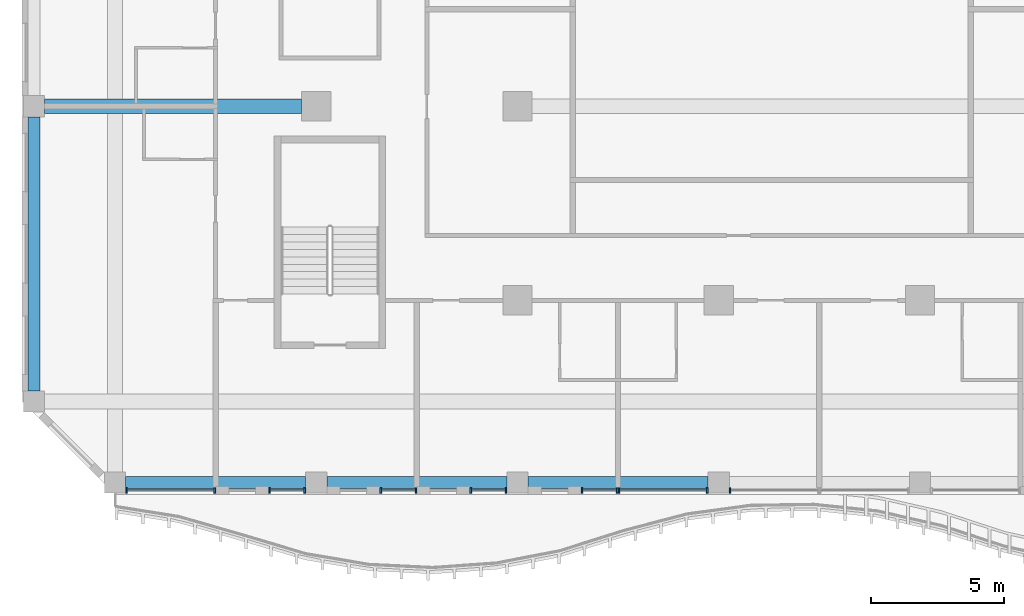
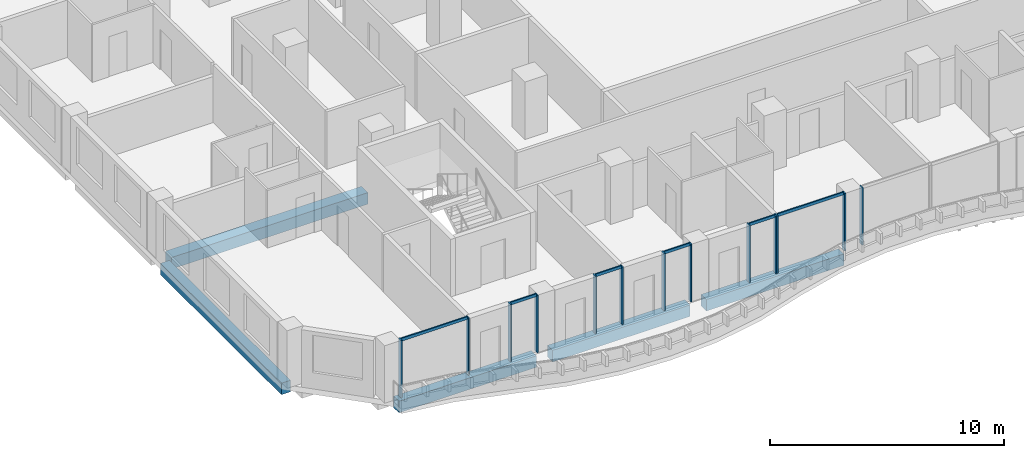
# One storey, part 2 of 23: 19 members, 5 beams, 7 elements without a shape of their own.
"""IFC4 building model written with IfcOpenShell, lengths in metres."""

from ifc_helpers import new_model, si_unit, direction, frame, origin, origin_2d, place, context, subcontext, project, spatial, rectangle, extrude, source, transform, mapped, material, material_profile, profile_set, type_object, element, aggregate, save


model = new_model("IFC4")

# Units and contexts
model_context = context("Model", 3, precision=1e-05, world=origin(), true_north=direction((0.0, 1.0)))
body_context = subcontext(model_context, "Body", "Model", "MODEL_VIEW")
ifc_project = project(units=[si_unit("LENGTHUNIT", "METRE"), si_unit("AREAUNIT", "SQUARE_METRE"), si_unit("VOLUMEUNIT", "CUBIC_METRE"), si_unit("PLANEANGLEUNIT", "RADIAN"), si_unit("MASSUNIT", "GRAM", prefix="KILO")], contexts=[model_context])

# Site, building, storey
site_placement = place(None, origin())
site = spatial("IfcSite", under=ifc_project, at=site_placement, CompositionType="ELEMENT")
building_placement = place(site_placement, origin())
building = spatial("IfcBuilding", under=site, at=building_placement, Name="Kilnfold Tower and Market Hall", CompositionType="ELEMENT")
storey_placement = place(building_placement, frame((0.0, 0.0, 160.89990234375)))
storey = spatial("IfcBuildingStorey", under=building, at=storey_placement, Name="L37", CompositionType="ELEMENT", Elevation=160.89990234375)

# Beams
ifc_material_1 = material(Name="Concrete C45", Category="concrete")
ifc_material_profile_1 = material_profile(ifc_material_1, rectangle(XDim=0.449951171875, YDim=0.60009765625, at=origin_2d()), Name="RC 450x600")
ifc_profile_set_1 = profile_set([ifc_material_profile_1], Name="Concrete C45")
beam_type_1 = type_object("IfcBeamType", Name="EDGE BEAM 450X600 C45", PredefinedType="BEAM", material=ifc_profile_set_1)
shared_shape_1 = source(origin(), body_context, "Body", "SweptSolid", [
    extrude(rectangle(XDim=0.449951171875, YDim=0.60009765625, at=origin_2d()), origin(), (0.0, 0.0, 1.0), 6.783447265625),
])
for number, where, z_axis, x_axis, name in (
    (1, (-23.35009765625, -20.800048828125, -0.579833984375), (1.0, 0.0, 0.0), (0.0, 1.0, 0.0), "Beam EB600-B4.76"),
    (2, (-8.183349609375, -20.800048828125, -0.579833984375), (1.0, 0.0, 0.0), (0.0, 1.0, 0.0), "Beam EB600-B4.78"),
):
    element("IfcBeam", number, at=place(storey_placement, frame(where, z_axis=z_axis, x_axis=x_axis)), inside=storey, type_object=beam_type_1, Name=name, PredefinedType="BEAM", context=body_context, shape_type="MappedRepresentation", body=[
        mapped(shared_shape_1, transform((0.0, 0.0, 0.0))),
    ])
shared_shape_2 = source(origin(), body_context, "Body", "SweptSolid", [
    extrude(rectangle(XDim=0.449951171875, YDim=0.60009765625, at=origin_2d()), origin(), (0.0, 0.0, 1.0), 6.783203125),
])
beam_1_placement = place(storey_placement, frame((-15.7666015625, -20.800048828125, -0.579833984375), z_axis=(1.0, 0.0, 0.0), x_axis=(0.0, 1.0, 0.0)))
element("IfcBeam", 3, at=beam_1_placement, inside=storey, type_object=beam_type_1, Name="Beam EB600-B4.77", PredefinedType="BEAM", context=body_context, shape_type="MappedRepresentation", body=[
    mapped(shared_shape_2, transform((0.0, 0.0, 0.0))),
])
ifc_material_2 = material(Name="Concrete C45", Category="concrete")
ifc_material_profile_2 = material_profile(ifc_material_2, rectangle(XDim=0.550048828125, YDim=0.60009765625, at=origin_2d()), Name="RC 550x600")
ifc_profile_set_2 = profile_set([ifc_material_profile_2], Name="Concrete C45")
beam_type_2 = type_object("IfcBeamType", Name="BEAM 550X600 C45", PredefinedType="BEAM", material=ifc_profile_set_2)
shared_shape_3 = source(origin(), body_context, "Body", "SweptSolid", [
    extrude(rectangle(XDim=0.550048828125, YDim=0.60009765625, at=origin_2d()), origin(), (0.0, 0.0, 1.0), 9.68310546875),
])
beam_2_placement = place(storey_placement, frame((-26.39990234375, -6.6201171875, -0.579833984375), z_axis=(1.0, 0.0, 0.0), x_axis=(0.0, 1.0, 0.0)))
element("IfcBeam", 4, at=beam_2_placement, inside=storey, type_object=beam_type_2, Name="Beam BB600-B4.83", PredefinedType="BEAM", context=body_context, shape_type="MappedRepresentation", body=[
    mapped(shared_shape_3, transform((0.0, 0.0, 0.0))),
])
shared_shape_4 = source(origin(), body_context, "Body", "SweptSolid", [
    extrude(rectangle(XDim=0.449951171875, YDim=0.60009765625, at=origin_2d()), origin(), (0.0, 0.0, 1.0), 10.3251953125),
])
beam_3_placement = place(storey_placement, frame((-26.800048828125, -17.35009765625, -0.579833984375), z_axis=(0.0, 1.0, 0.0), x_axis=(-1.0, 0.0, 0.0)))
element("IfcBeam", 5, at=beam_3_placement, inside=storey, type_object=beam_type_1, Name="Beam EB600-B4.94", PredefinedType="BEAM", context=body_context, shape_type="MappedRepresentation", body=[
    mapped(shared_shape_4, transform((0.0, 0.0, 0.0))),
])

# Curtain wall, members
ifc_material_3 = material(Name="Aluminium and double glazing", Category="aluminium")
curtain_wall_type = type_object("IfcCurtainWallType", Name="CW GARDEN HOTEL WINTER GARDEN", PredefinedType="NOTDEFINED", material=ifc_material_3)
curtain_wall_1_placement = place(storey_placement, origin())
curtain_wall_1 = element("IfcCurtainWall", 6, at=curtain_wall_1_placement, inside=storey, type_object=curtain_wall_type, Name="Curtain wall CW5 L37 S", PredefinedType="NOTDEFINED")
ifc_material_4 = material(Name="Aluminium", Category="aluminium")
ifc_material_profile_3 = material_profile(ifc_material_4, rectangle(XDim=0.06494140625, YDim=0.2099609375, at=origin_2d()), Name="MULLION 65x210")
ifc_profile_set_3 = profile_set([ifc_material_profile_3], Name="Aluminium")
member_type_1 = type_object("IfcMemberType", Name="MULLION 65X210", PredefinedType="MULLION", material=ifc_profile_set_3)
shared_shape_5 = source(origin(), body_context, "Body", "SweptSolid", [
    extrude(rectangle(XDim=0.06494140625, YDim=0.2099609375, at=origin_2d()), origin(), (0.0, 0.0, 1.0), 3.0),
])
member_1_placement = place(storey_placement, frame((-23.3173828125, -21.10009765625, 0.0), z_axis=(0.0, 0.0, 1.0), x_axis=(1.0, 0.0, 0.0)))
member_1 = element("IfcMember", 7, at=member_1_placement, type_object=member_type_1, Name="CW5 mullion 1", PredefinedType="MULLION", context=body_context, shape_type="MappedRepresentation", body=[
    mapped(shared_shape_5, transform((0.0, 0.0, 0.0))),
])
member_2_placement = place(storey_placement, frame((-19.990966796875, -21.10009765625, 0.0), z_axis=(0.0, 0.0, 1.0), x_axis=(1.0, 0.0, 0.0)))
member_2 = element("IfcMember", 8, at=member_2_placement, type_object=member_type_1, Name="CW5 mullion 2", PredefinedType="MULLION", context=body_context, shape_type="MappedRepresentation", body=[
    mapped(shared_shape_5, transform((0.0, 0.0, 0.0))),
])

curtain_wall_2_placement = place(storey_placement, origin())
curtain_wall_2 = element("IfcCurtainWall", 9, at=curtain_wall_2_placement, inside=storey, type_object=curtain_wall_type, Name="Curtain wall CW5 L37 S", PredefinedType="NOTDEFINED")
member_3_placement = place(storey_placement, frame((-17.92578125, -21.10009765625, 0.0), z_axis=(0.0, 0.0, 1.0), x_axis=(1.0, 0.0, 0.0)))
member_3 = element("IfcMember", 10, at=member_3_placement, type_object=member_type_1, Name="CW5 mullion 1", PredefinedType="MULLION", context=body_context, shape_type="MappedRepresentation", body=[
    mapped(shared_shape_5, transform((0.0, 0.0, 0.0))),
])
member_4_placement = place(storey_placement, frame((-16.59912109375, -21.10009765625, 0.0), z_axis=(0.0, 0.0, 1.0), x_axis=(1.0, 0.0, 0.0)))
member_4 = element("IfcMember", 11, at=member_4_placement, type_object=member_type_1, Name="CW5 mullion 2", PredefinedType="MULLION", context=body_context, shape_type="MappedRepresentation", body=[
    mapped(shared_shape_5, transform((0.0, 0.0, 0.0))),
])

curtain_wall_3_placement = place(storey_placement, origin())
curtain_wall_3 = element("IfcCurtainWall", 12, at=curtain_wall_3_placement, inside=storey, type_object=curtain_wall_type, Name="Curtain wall CW5 L37 S", PredefinedType="NOTDEFINED")
member_5_placement = place(storey_placement, frame((-13.734130859375, -21.10009765625, 0.0), z_axis=(0.0, 0.0, 1.0), x_axis=(1.0, 0.0, 0.0)))
member_5 = element("IfcMember", 13, at=member_5_placement, type_object=member_type_1, Name="CW5 mullion 1", PredefinedType="MULLION", context=body_context, shape_type="MappedRepresentation", body=[
    mapped(shared_shape_5, transform((0.0, 0.0, 0.0))),
])
member_6_placement = place(storey_placement, frame((-12.407470703125, -21.10009765625, 0.0), z_axis=(0.0, 0.0, 1.0), x_axis=(1.0, 0.0, 0.0)))
member_6 = element("IfcMember", 14, at=member_6_placement, type_object=member_type_1, Name="CW5 mullion 2", PredefinedType="MULLION", context=body_context, shape_type="MappedRepresentation", body=[
    mapped(shared_shape_5, transform((0.0, 0.0, 0.0))),
])

curtain_wall_4_placement = place(storey_placement, origin())
curtain_wall_4 = element("IfcCurtainWall", 15, at=curtain_wall_4_placement, inside=storey, type_object=curtain_wall_type, Name="Curtain wall CW5 L37 S", PredefinedType="NOTDEFINED")
member_7_placement = place(storey_placement, frame((-10.342529296875, -21.10009765625, 0.0), z_axis=(0.0, 0.0, 1.0), x_axis=(1.0, 0.0, 0.0)))
member_7 = element("IfcMember", 16, at=member_7_placement, type_object=member_type_1, Name="CW5 mullion 1", PredefinedType="MULLION", context=body_context, shape_type="MappedRepresentation", body=[
    mapped(shared_shape_5, transform((0.0, 0.0, 0.0))),
])
member_8_placement = place(storey_placement, frame((-9.015869140625, -21.10009765625, 0.0), z_axis=(0.0, 0.0, 1.0), x_axis=(1.0, 0.0, 0.0)))
member_8 = element("IfcMember", 17, at=member_8_placement, type_object=member_type_1, Name="CW5 mullion 2", PredefinedType="MULLION", context=body_context, shape_type="MappedRepresentation", body=[
    mapped(shared_shape_5, transform((0.0, 0.0, 0.0))),
])

curtain_wall_5_placement = place(storey_placement, origin())
curtain_wall_5 = element("IfcCurtainWall", 18, at=curtain_wall_5_placement, inside=storey, type_object=curtain_wall_type, Name="Curtain wall CW5 L37 S", PredefinedType="NOTDEFINED")
member_9_placement = place(storey_placement, frame((-6.15087890625, -21.10009765625, 0.0), z_axis=(0.0, 0.0, 1.0), x_axis=(1.0, 0.0, 0.0)))
member_9 = element("IfcMember", 19, at=member_9_placement, type_object=member_type_1, Name="CW5 mullion 1", PredefinedType="MULLION", context=body_context, shape_type="MappedRepresentation", body=[
    mapped(shared_shape_5, transform((0.0, 0.0, 0.0))),
])
member_10_placement = place(storey_placement, frame((-4.82421875, -21.10009765625, 0.0), z_axis=(0.0, 0.0, 1.0), x_axis=(1.0, 0.0, 0.0)))
member_10 = element("IfcMember", 20, at=member_10_placement, type_object=member_type_1, Name="CW5 mullion 2", PredefinedType="MULLION", context=body_context, shape_type="MappedRepresentation", body=[
    mapped(shared_shape_5, transform((0.0, 0.0, 0.0))),
])

curtain_wall_6_placement = place(storey_placement, origin())
curtain_wall_6 = element("IfcCurtainWall", 21, at=curtain_wall_6_placement, inside=storey, type_object=curtain_wall_type, Name="Curtain wall CW5 L37 S", PredefinedType="NOTDEFINED")
member_11_placement = place(storey_placement, frame((-4.759033203125, -21.10009765625, 0.0), z_axis=(0.0, 0.0, 1.0), x_axis=(1.0, 0.0, 0.0)))
member_11 = element("IfcMember", 22, at=member_11_placement, type_object=member_type_1, Name="CW5 mullion 1", PredefinedType="MULLION", context=body_context, shape_type="MappedRepresentation", body=[
    mapped(shared_shape_5, transform((0.0, 0.0, 0.0))),
])
member_12_placement = place(storey_placement, frame((-1.4326171875, -21.10009765625, 0.0), z_axis=(0.0, 0.0, 1.0), x_axis=(1.0, 0.0, 0.0)))
member_12 = element("IfcMember", 23, at=member_12_placement, type_object=member_type_1, Name="CW5 mullion 2", PredefinedType="MULLION", context=body_context, shape_type="MappedRepresentation", body=[
    mapped(shared_shape_5, transform((0.0, 0.0, 0.0))),
])

# Curtain wall, member
curtain_wall_7_placement = place(storey_placement, origin())
curtain_wall_7 = element("IfcCurtainWall", 24, at=curtain_wall_7_placement, inside=storey, type_object=curtain_wall_type, Name="Curtain wall CW5 L37 S", PredefinedType="NOTDEFINED")
member_13_placement = place(storey_placement, frame((-0.5673828125, -21.10009765625, 0.0), z_axis=(0.0, 0.0, 1.0), x_axis=(1.0, 0.0, 0.0)))
member_13 = element("IfcMember", 25, at=member_13_placement, type_object=member_type_1, Name="CW5 mullion 1", PredefinedType="MULLION", context=body_context, shape_type="MappedRepresentation", body=[
    mapped(shared_shape_5, transform((0.0, 0.0, 0.0))),
])
aggregate(curtain_wall_7, [member_13])

# Member
ifc_material_5 = material(Name="Aluminium", Category="aluminium")
ifc_material_profile_4 = material_profile(ifc_material_5, rectangle(XDim=0.06494140625, YDim=0.14990234375, at=origin_2d()), Name="TRANSOM 65x150")
ifc_profile_set_4 = profile_set([ifc_material_profile_4], Name="Aluminium")
member_type_2 = type_object("IfcMemberType", Name="TRANSOM 65X150", PredefinedType="USERDEFINED", material=ifc_profile_set_4)
shared_shape_6 = source(origin(), body_context, "Body", "SweptSolid", [
    extrude(rectangle(XDim=0.06494140625, YDim=0.14990234375, at=origin_2d()), origin(), (0.0, 0.0, 1.0), 3.261474609375),
])
member_14_placement = place(storey_placement, frame((-23.284912109375, -21.10009765625, 2.967529296875), z_axis=(1.0, 0.0, 0.0), x_axis=(0.0, 1.0, 0.0)))
member_14 = element("IfcMember", 26, at=member_14_placement, type_object=member_type_2, Name="CW5 transom 1.2", ObjectType="TRANSOM", PredefinedType="USERDEFINED", context=body_context, shape_type="MappedRepresentation", body=[
    mapped(shared_shape_6, transform((0.0, 0.0, 0.0))),
])

aggregate(curtain_wall_1, [member_1, member_2, member_14])

member_15_placement = place(storey_placement, frame((-4.7265625, -21.10009765625, 2.967529296875), z_axis=(1.0, 0.0, 0.0), x_axis=(0.0, 1.0, 0.0)))
member_15 = element("IfcMember", 27, at=member_15_placement, type_object=member_type_2, Name="CW5 transom 1.2", ObjectType="TRANSOM", PredefinedType="USERDEFINED", context=body_context, shape_type="MappedRepresentation", body=[
    mapped(shared_shape_6, transform((0.0, 0.0, 0.0))),
])

aggregate(curtain_wall_6, [member_11, member_12, member_15])

shared_shape_7 = source(origin(), body_context, "Body", "SweptSolid", [
    extrude(rectangle(XDim=0.06494140625, YDim=0.14990234375, at=origin_2d()), origin(), (0.0, 0.0, 1.0), 1.26171875),
])
member_16_placement = place(storey_placement, frame((-17.893310546875, -21.10009765625, 2.967529296875), z_axis=(1.0, 0.0, 0.0), x_axis=(0.0, 1.0, 0.0)))
member_16 = element("IfcMember", 28, at=member_16_placement, type_object=member_type_2, Name="CW5 transom 1.2", ObjectType="TRANSOM", PredefinedType="USERDEFINED", context=body_context, shape_type="MappedRepresentation", body=[
    mapped(shared_shape_7, transform((0.0, 0.0, 0.0))),
])

aggregate(curtain_wall_2, [member_3, member_4, member_16])

member_17_placement = place(storey_placement, frame((-13.70166015625, -21.10009765625, 2.967529296875), z_axis=(1.0, 0.0, 0.0), x_axis=(0.0, 1.0, 0.0)))
member_17 = element("IfcMember", 29, at=member_17_placement, type_object=member_type_2, Name="CW5 transom 1.2", ObjectType="TRANSOM", PredefinedType="USERDEFINED", context=body_context, shape_type="MappedRepresentation", body=[
    mapped(shared_shape_7, transform((0.0, 0.0, 0.0))),
])

aggregate(curtain_wall_3, [member_5, member_6, member_17])

member_18_placement = place(storey_placement, frame((-10.31005859375, -21.10009765625, 2.967529296875), z_axis=(1.0, 0.0, 0.0), x_axis=(0.0, 1.0, 0.0)))
member_18 = element("IfcMember", 30, at=member_18_placement, type_object=member_type_2, Name="CW5 transom 1.2", ObjectType="TRANSOM", PredefinedType="USERDEFINED", context=body_context, shape_type="MappedRepresentation", body=[
    mapped(shared_shape_7, transform((0.0, 0.0, 0.0))),
])

aggregate(curtain_wall_4, [member_7, member_8, member_18])

member_19_placement = place(storey_placement, frame((-6.118408203125, -21.10009765625, 2.967529296875), z_axis=(1.0, 0.0, 0.0), x_axis=(0.0, 1.0, 0.0)))
member_19 = element("IfcMember", 31, at=member_19_placement, type_object=member_type_2, Name="CW5 transom 1.2", ObjectType="TRANSOM", PredefinedType="USERDEFINED", context=body_context, shape_type="MappedRepresentation", body=[
    mapped(shared_shape_7, transform((0.0, 0.0, 0.0))),
])

aggregate(curtain_wall_5, [member_9, member_10, member_19])

save(model, "model.ifc")
